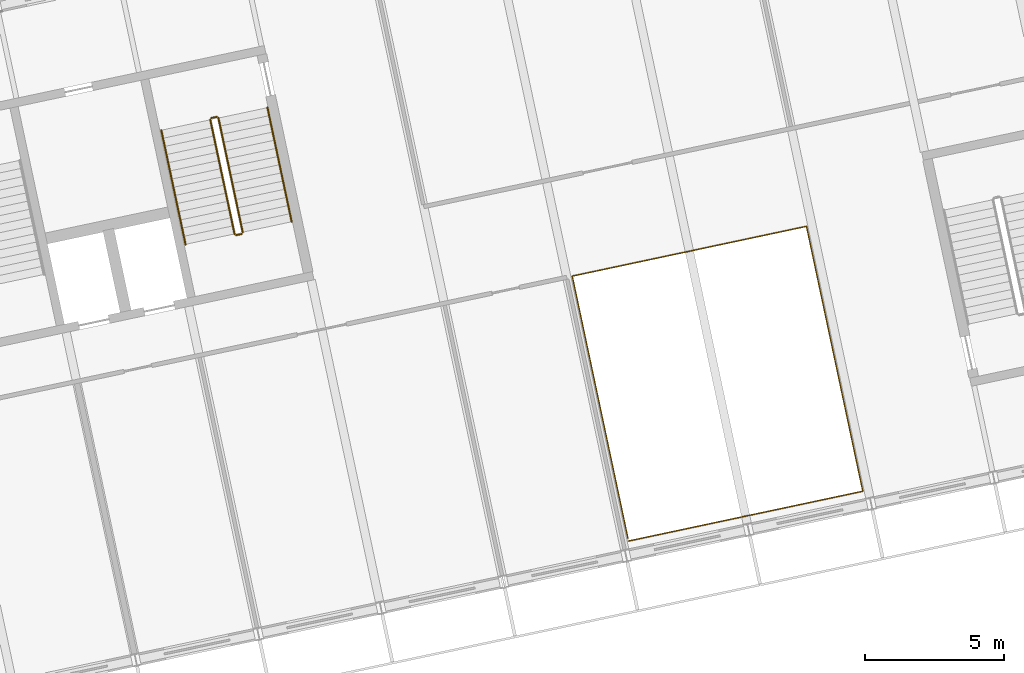
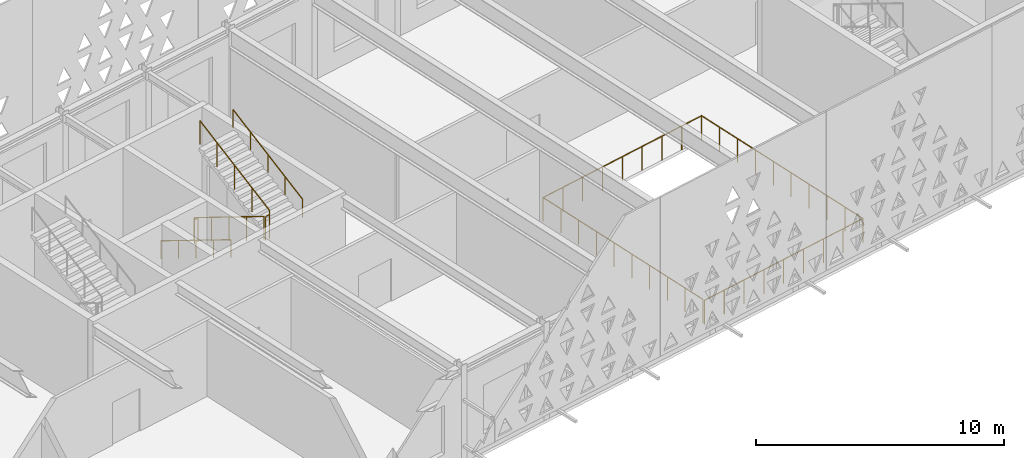
# One storey, part 188 of 196: 7 railings.
"""IFC4 building model written with IfcOpenShell, lengths in metres."""

import ifcopenshell
import ifcopenshell.guid

model = None  # the IFC model being written
_history = None  # IfcOwnerHistory: only IFC2X3 demands one
_inside = {}  # id of a spatial element -> (the spatial element, [elements in it])
_under = {}  # id of a project, library or spatial element -> (it, [spatial elements below it])
_declared = {}  # id of a project -> (the project, [libraries it declares])
_typed = {}  # id of a type object -> (the type object, [elements of that type])
_made_of = {}  # id of a material, layer set ... -> (it, [elements and type objects made of it])


def new_model(schema):
    """Start an empty IFC model of exactly this schema.

    Asked for "IFC4X3", IfcOpenShell would pick the latest addendum, in which some entities
    have other attributes; the version numbers below select the first issue.
    IFC2X3 requires an IfcOwnerHistory on every rooted entity: one is made here for all.
    """
    global model, _history
    if schema == "IFC4X3":
        model = ifcopenshell.file(schema_version=(4, 3, 0, 0))
    else:
        model = ifcopenshell.file(schema=schema)
    _inside.clear()
    _under.clear()
    _declared.clear()
    _typed.clear()
    _made_of.clear()
    _history = None
    if model.schema == "IFC2X3":
        org = make("IfcOrganization", Name="unknown")
        user = make(
            "IfcPersonAndOrganization",
            ThePerson=make("IfcPerson", FamilyName="unknown"),
            TheOrganization=org,
        )
        app = make(
            "IfcApplication",
            ApplicationDeveloper=org,
            Version="unknown",
            ApplicationFullName="unknown",
            ApplicationIdentifier="unknown",
        )
        _history = make(
            "IfcOwnerHistory",
            OwningUser=user,
            OwningApplication=app,
            ChangeAction="ADDED",
            CreationDate=0,
        )
    return model


def make(cls, **values):
    """One entity of the class cls with the attributes given. An attribute that is None is left unset."""
    return model.create_entity(
        cls, **{name: value for name, value in values.items() if value is not None}
    )


def rooted(cls, **values):
    """An entity with a GlobalId (a new one), such as an element, a storey or a relation."""
    return make(cls, GlobalId=ifcopenshell.guid.new(), OwnerHistory=_history, **values)


def si_unit(unit_type, name, prefix=None):
    """IfcSIUnit, for example si_unit("LENGTHUNIT", "METRE", prefix="MILLI")."""
    return make("IfcSIUnit", UnitType=unit_type, Prefix=prefix, Name=name)


def assignment(units):
    """IfcUnitAssignment: the units of a project."""
    return None if units is None else make("IfcUnitAssignment", Units=units)


def point(xyz):
    """IfcCartesianPoint."""
    return None if xyz is None else make("IfcCartesianPoint", Coordinates=xyz)


def direction(xyz):
    """IfcDirection."""
    return None if xyz is None else make("IfcDirection", DirectionRatios=xyz)


def frame(location, z_axis=None, x_axis=None):
    """IfcAxis2Placement3D, a coordinate frame: its origin and axes. An axis left out is left unset."""
    return make(
        "IfcAxis2Placement3D",
        Location=point(location),
        Axis=direction(z_axis),
        RefDirection=direction(x_axis),
    )


def frame_2d(location, x_axis=None):
    """IfcAxis2Placement2D, a coordinate frame in the plane: its origin and x axis."""
    return make(
        "IfcAxis2Placement2D", Location=point(location), RefDirection=direction(x_axis)
    )


def origin():
    """The frame at (0, 0, 0) with its axes left unset."""
    return frame((0.0, 0.0, 0.0))


def origin_2d():
    """The frame at (0, 0) in the plane with its x axis left unset."""
    return frame_2d((0.0, 0.0))


def place(relative_to, where):
    """IfcLocalPlacement: puts the frame where relative to a parent placement (None: the world)."""
    return make(
        "IfcLocalPlacement", PlacementRelTo=relative_to, RelativePlacement=where
    )


def context(
    kind, dimensions, precision=None, world=None, true_north=None, identifier=None
):
    """IfcGeometricRepresentationContext, for example the 3D "Model" context."""
    return make(
        "IfcGeometricRepresentationContext",
        ContextIdentifier=identifier,
        ContextType=kind,
        CoordinateSpaceDimension=dimensions,
        Precision=precision,
        WorldCoordinateSystem=world,
        TrueNorth=true_north,
    )


def subcontext(parent, identifier, kind, view, scale=None):
    """IfcGeometricRepresentationSubContext, for example "Body" below "Model"."""
    return make(
        "IfcGeometricRepresentationSubContext",
        ContextIdentifier=identifier,
        ContextType=kind,
        ParentContext=parent,
        TargetScale=scale,
        TargetView=view,
    )


def project(units=None, contexts=None):
    """IfcProject with its units and contexts."""
    return rooted(
        "IfcProject",
        Name="project",
        RepresentationContexts=contexts,
        UnitsInContext=assignment(units),
    )


def spatial(cls, under=None, at=None, **own):
    """A site, building, storey or space (cls), placed at a placement, below another one or the project."""
    s = rooted(cls, ObjectPlacement=at, **own)
    if under is not None:
        _under.setdefault(under.id(), (under, []))[1].append(s)
    return s


def profile(cls, at=None, kind="AREA", **sizes):
    """A parametric profile (cls). Its sizes go by their IFC names, for example OverallWidth=200.0."""
    return make(cls, ProfileType=kind, Position=at, **sizes)


def circle(**sizes):
    """IfcCircleProfileDef."""
    return profile("IfcCircleProfileDef", **sizes)


def extrude(swept, where, along, depth):
    """IfcExtrudedAreaSolid: the profile swept, set in the frame where, extruded along a direction by depth."""
    return make(
        "IfcExtrudedAreaSolid",
        SweptArea=swept,
        Position=where,
        ExtrudedDirection=direction(along),
        Depth=depth,
    )


def shape(context_of_items, identifier, shape_type, items):
    """IfcShapeRepresentation: the items that make up one representation, for example the "Body"."""
    return make(
        "IfcShapeRepresentation",
        ContextOfItems=context_of_items,
        RepresentationIdentifier=identifier,
        RepresentationType=shape_type,
        Items=items,
    )


def material(Name=None, Category=None):
    """IfcMaterial."""
    return make("IfcMaterial", Name=Name, Category=Category)


def made_of(thing, what):
    """Note that an element or type object is made of a material, layer set ...; save() writes the relation."""
    if what is not None:
        _made_of.setdefault(what.id(), (what, []))[1].append(thing)
    return thing


def type_object(cls, material=None, **own):
    """A type object (cls), such as IfcWallType, which elements share."""
    return made_of(rooted(cls, **own), material)


def element(
    cls,
    number,
    at=None,
    inside=None,
    cuts=None,
    type_object=None,
    material=None,
    context=None,
    identifier="Body",
    shape_type=None,
    held_by="IfcProductDefinitionShape",
    body=None,
    shapes=None,
    **own,
):
    """One element of the class cls, such as IfcWall. Its Tag is "e" and its number.

    at: its placement. inside: the storey or other place that contains it. cuts: it is an
    opening in that element (IfcRelVoidsElement). A single representation is given by context,
    identifier, shape_type and body (its items); several are given by shapes. held_by: the class
    of the entity that holds the representations. save() writes the other relations.
    """
    e = rooted(cls, Tag="e%d" % number, ObjectPlacement=at, **own)
    if body is not None:
        shapes = [shape(context, identifier, shape_type, body)]
    if shapes is not None:
        e.Representation = make(held_by, Representations=shapes)
    if inside is not None:
        _inside.setdefault(inside.id(), (inside, []))[1].append(e)
    if cuts is not None:
        rooted(
            "IfcRelVoidsElement", RelatingBuildingElement=cuts, RelatedOpeningElement=e
        )
    if type_object is not None:
        _typed.setdefault(type_object.id(), (type_object, []))[1].append(e)
    return made_of(e, material)


def aggregate(whole, parts):
    """IfcRelAggregates: a whole, such as a stair, and the parts it consists of."""
    return rooted("IfcRelAggregates", RelatingObject=whole, RelatedObjects=parts)


def save(model, path):
    """Write the relations noted so far, then the file.

    IfcRelAggregates (storeys below a building ...), IfcRelContainedInSpatialStructure (elements
    in a storey), IfcRelDefinesByType, IfcRelAssociatesMaterial and IfcRelDeclares: one each for
    every whole, place, type object, material and project.
    """
    for whole, parts in _under.values():
        aggregate(whole, parts)
    for where, things in _inside.values():
        rooted(
            "IfcRelContainedInSpatialStructure",
            RelatedElements=things,
            RelatingStructure=where,
        )
    for kind, things in _typed.values():
        rooted("IfcRelDefinesByType", RelatedObjects=things, RelatingType=kind)
    for what, things in _made_of.values():
        rooted("IfcRelAssociatesMaterial", RelatedObjects=things, RelatingMaterial=what)
    for by, libraries in _declared.values():
        rooted("IfcRelDeclares", RelatingContext=by, RelatedDefinitions=libraries)
    model.write(path)


model = new_model("IFC4")

# Units and contexts
model_context = context("Model", 3, precision=1e-05, world=origin(), true_north=direction((0.0, 1.0)))
body_context = subcontext(model_context, "Body", "Model", "MODEL_VIEW")
ifc_project = project(units=[si_unit("LENGTHUNIT", "METRE"), si_unit("AREAUNIT", "SQUARE_METRE"), si_unit("VOLUMEUNIT", "CUBIC_METRE"), si_unit("PLANEANGLEUNIT", "RADIAN"), si_unit("MASSUNIT", "GRAM", prefix="KILO")], contexts=[model_context])

# Site, building, storey
site_placement = place(None, origin())
site = spatial("IfcSite", under=ifc_project, at=site_placement, CompositionType="ELEMENT")
building_placement = place(site_placement, origin())
building = spatial("IfcBuilding", under=site, at=building_placement, Name="Okhra Congress Centre", CompositionType="ELEMENT")
storey_placement = place(building_placement, frame((0.0, 0.0, 12.0)))
storey = spatial("IfcBuildingStorey", under=building, at=storey_placement, Name="L02", CompositionType="ELEMENT", Elevation=12.0)

# Railings
ifc_material_1 = material(Name="Painted steel tube guard with vertical steel balusters", Category="steel")
railing_type_1 = type_object("IfcRailingType", Name="Steel guard 1200", PredefinedType="GUARDRAIL", material=ifc_material_1)
railing_1_placement = place(storey_placement, frame((122.72607421875, 40.438232421875, 0.0)))
element("IfcRailing", 1, at=railing_1_placement, inside=storey, type_object=railing_type_1, Name="Guard round the slab opening L02", PredefinedType="GUARDRAIL", context=body_context, shape_type="SweptSolid", body=[
    extrude(circle(Radius=0.02392578125, at=origin_2d()), frame((0.0, 0.0, 1.17578125), z_axis=(0.978145501071, 0.207921568708, 0.0), x_axis=(-0.207921568708, 0.978145501071, 0.0)), (0.0, 0.0, 1.0), 8.599853515625),
    extrude(circle(Radius=0.02392578125, at=origin_2d()), frame((8.411865234375, 1.7880859375, 1.17578125), z_axis=(-0.20789148293, 0.978151895835, 0.0), x_axis=(-0.978151895835, -0.20789148293, 0.0)), (0.0, 0.0, 1.0), 9.724853515625),
    extrude(circle(Radius=0.02392578125, at=origin_2d()), frame((6.39013671875, 11.300537109375, 1.17578125), z_axis=(-0.978152501362, -0.207888633837, 0.0), x_axis=(0.207888633837, -0.978152501362, 0.0)), (0.0, 0.0, 1.0), 8.60009765625),
    extrude(circle(Radius=0.02392578125, at=origin_2d()), frame((-2.02197265625, 9.5126953125, 1.17578125), z_axis=(0.207891822393, -0.978151823687, 0.0), x_axis=(0.978151823687, 0.207891822393, 0.0)), (0.0, 0.0, 1.0), 9.625),
    extrude(circle(Radius=0.02099609375, at=origin_2d()), origin(), (0.0, 0.0, 1.0), 1.15185546875),
    extrude(circle(Radius=0.02099609375, at=origin_2d()), frame((1.051513671875, 0.2236328125, 0.0)), (0.0, 0.0, 1.0), 1.15185546875),
    extrude(circle(Radius=0.02099609375, at=origin_2d()), frame((2.10302734375, 0.447021484375, 0.0)), (0.0, 0.0, 1.0), 1.15185546875),
    extrude(circle(Radius=0.02099609375, at=origin_2d()), frame((3.154541015625, 0.67041015625, 0.0)), (0.0, 0.0, 1.0), 1.15185546875),
    extrude(circle(Radius=0.02099609375, at=origin_2d()), frame((4.2060546875, 0.89404296875, 0.0)), (0.0, 0.0, 1.0), 1.15185546875),
    extrude(circle(Radius=0.02099609375, at=origin_2d()), frame((5.25732421875, 1.11767578125, 0.0)), (0.0, 0.0, 1.0), 1.15185546875),
    extrude(circle(Radius=0.02099609375, at=origin_2d()), frame((6.308837890625, 1.341064453125, 0.0)), (0.0, 0.0, 1.0), 1.15185546875),
    extrude(circle(Radius=0.02099609375, at=origin_2d()), frame((7.3603515625, 1.564453125, 0.0)), (0.0, 0.0, 1.0), 1.15185546875),
    extrude(circle(Radius=0.02099609375, at=origin_2d()), frame((8.411865234375, 1.7880859375, 0.0)), (0.0, 0.0, 1.0), 1.15185546875),
    extrude(circle(Radius=0.02099609375, at=origin_2d()), frame((8.187255859375, 2.844970703125, 0.0)), (0.0, 0.0, 1.0), 1.15185546875),
    extrude(circle(Radius=0.02099609375, at=origin_2d()), frame((7.962646484375, 3.90185546875, 0.0)), (0.0, 0.0, 1.0), 1.15185546875),
    extrude(circle(Radius=0.02099609375, at=origin_2d()), frame((7.738037109375, 4.958984375, 0.0)), (0.0, 0.0, 1.0), 1.15185546875),
    extrude(circle(Radius=0.02099609375, at=origin_2d()), frame((7.513427734375, 6.015869140625, 0.0)), (0.0, 0.0, 1.0), 1.15185546875),
    extrude(circle(Radius=0.02099609375, at=origin_2d()), frame((7.28857421875, 7.07275390625, 0.0)), (0.0, 0.0, 1.0), 1.15185546875),
    extrude(circle(Radius=0.02099609375, at=origin_2d()), frame((7.06396484375, 8.129638671875, 0.0)), (0.0, 0.0, 1.0), 1.15185546875),
    extrude(circle(Radius=0.02099609375, at=origin_2d()), frame((6.83935546875, 9.186767578125, 0.0)), (0.0, 0.0, 1.0), 1.15185546875),
    extrude(circle(Radius=0.02099609375, at=origin_2d()), frame((6.61474609375, 10.24365234375, 0.0)), (0.0, 0.0, 1.0), 1.15185546875),
    extrude(circle(Radius=0.02099609375, at=origin_2d()), frame((6.39013671875, 11.300537109375, 0.0)), (0.0, 0.0, 1.0), 1.15185546875),
    extrude(circle(Radius=0.02099609375, at=origin_2d()), frame((5.338623046875, 11.0771484375, 0.0)), (0.0, 0.0, 1.0), 1.15185546875),
    extrude(circle(Radius=0.02099609375, at=origin_2d()), frame((4.287109375, 10.853515625, 0.0)), (0.0, 0.0, 1.0), 1.15185546875),
    extrude(circle(Radius=0.02099609375, at=origin_2d()), frame((3.235595703125, 10.630126953125, 0.0)), (0.0, 0.0, 1.0), 1.15185546875),
    extrude(circle(Radius=0.02099609375, at=origin_2d()), frame((2.18408203125, 10.40673828125, 0.0)), (0.0, 0.0, 1.0), 1.15185546875),
    extrude(circle(Radius=0.02099609375, at=origin_2d()), frame((1.132568359375, 10.18310546875, 0.0)), (0.0, 0.0, 1.0), 1.15185546875),
    extrude(circle(Radius=0.02099609375, at=origin_2d()), frame((0.0810546875, 9.959716796875, 0.0)), (0.0, 0.0, 1.0), 1.15185546875),
    extrude(circle(Radius=0.02099609375, at=origin_2d()), frame((-0.970458984375, 9.736083984375, 0.0)), (0.0, 0.0, 1.0), 1.15185546875),
    extrude(circle(Radius=0.02099609375, at=origin_2d()), frame((-2.02197265625, 9.5126953125, 0.0)), (0.0, 0.0, 1.0), 1.15185546875),
    extrude(circle(Radius=0.02099609375, at=origin_2d()), frame((-1.799560546875, 8.466552734375, 0.0)), (0.0, 0.0, 1.0), 1.15185546875),
    extrude(circle(Radius=0.02099609375, at=origin_2d()), frame((-1.577392578125, 7.42041015625, 0.0)), (0.0, 0.0, 1.0), 1.15185546875),
    extrude(circle(Radius=0.02099609375, at=origin_2d()), frame((-1.35498046875, 6.37451171875, 0.0)), (0.0, 0.0, 1.0), 1.15185546875),
    extrude(circle(Radius=0.02099609375, at=origin_2d()), frame((-1.132568359375, 5.328369140625, 0.0)), (0.0, 0.0, 1.0), 1.15185546875),
    extrude(circle(Radius=0.02099609375, at=origin_2d()), frame((-0.910400390625, 4.2822265625, 0.0)), (0.0, 0.0, 1.0), 1.15185546875),
    extrude(circle(Radius=0.02099609375, at=origin_2d()), frame((-0.68798828125, 3.236083984375, 0.0)), (0.0, 0.0, 1.0), 1.15185546875),
    extrude(circle(Radius=0.02099609375, at=origin_2d()), frame((-0.465576171875, 2.190185546875, 0.0)), (0.0, 0.0, 1.0), 1.15185546875),
    extrude(circle(Radius=0.02099609375, at=origin_2d()), frame((-0.243408203125, 1.14404296875, 0.0)), (0.0, 0.0, 1.0), 1.15185546875),
    extrude(circle(Radius=0.02099609375, at=origin_2d()), frame((-0.02099609375, 0.097900390625, 0.0)), (0.0, 0.0, 1.0), 1.15185546875),
])
ifc_material_2 = material(Name="Painted steel tube handrail on wall brackets", Category="steel")
railing_type_2 = type_object("IfcRailingType", Name="Steel handrail 900", PredefinedType="HANDRAIL", material=ifc_material_2)
railing_2_placement = place(storey_placement, frame((105.94091796875, 55.196044921875, 0.159912109375)))
element("IfcRailing", 2, at=railing_2_placement, inside=storey, type_object=railing_type_2, Name="L02 BS2B stair handrail 1", PredefinedType="HANDRAIL", context=body_context, shape_type="SweptSolid", body=[
    extrude(circle(Radius=0.02392578125, at=origin_2d()), frame((0.0, 0.0, 0.8759765625), z_axis=(0.183466421502, -0.863066668889, 0.4705911147), x_axis=(0.978143927149, 0.207928972925, 0.0)), (0.0, 0.0, 1.0), 4.760009765625),
    extrude(circle(Radius=0.02099609375, at=origin_2d()), origin(), (0.0, 0.0, 1.0), 0.851806640625),
    extrude(circle(Radius=0.02099609375, at=origin_2d()), frame((0.21826171875, -1.027099609375, 0.56005859375)), (0.0, 0.0, 1.0), 0.851806640625),
    extrude(circle(Radius=0.02099609375, at=origin_2d()), frame((0.4365234375, -2.05419921875, 1.1201171875)), (0.0, 0.0, 1.0), 0.851806640625),
    extrude(circle(Radius=0.02099609375, at=origin_2d()), frame((0.655029296875, -3.0810546875, 1.679931640625)), (0.0, 0.0, 1.0), 0.851806640625),
    extrude(circle(Radius=0.02099609375, at=origin_2d()), frame((0.873291015625, -4.108154296875, 2.239990234375)), (0.0, 0.0, 1.0), 0.851806640625),
])
railing_3_placement = place(storey_placement, frame((110.62890625, 51.898681640625, 2.56005859375)))
element("IfcRailing", 3, at=railing_3_placement, inside=storey, type_object=railing_type_2, Name="L02 BS2B stair handrail 2", PredefinedType="HANDRAIL", context=body_context, shape_type="SweptSolid", body=[
    extrude(circle(Radius=0.02392578125, at=origin_2d()), frame((0.0, 0.0, 0.8759765625), z_axis=(-0.183466421502, 0.863066668889, 0.4705911147), x_axis=(-0.978143927149, -0.207928972925, 0.0)), (0.0, 0.0, 1.0), 4.760009765625),
    extrude(circle(Radius=0.02099609375, at=origin_2d()), origin(), (0.0, 0.0, 1.0), 0.851806640625),
    extrude(circle(Radius=0.02099609375, at=origin_2d()), frame((-0.21826171875, 1.027099609375, 0.56005859375)), (0.0, 0.0, 1.0), 0.851806640625),
    extrude(circle(Radius=0.02099609375, at=origin_2d()), frame((-0.4365234375, 2.05419921875, 1.1201171875)), (0.0, 0.0, 1.0), 0.851806640625),
    extrude(circle(Radius=0.02099609375, at=origin_2d()), frame((-0.655029296875, 3.0810546875, 1.679931640625)), (0.0, 0.0, 1.0), 0.851806640625),
    extrude(circle(Radius=0.02099609375, at=origin_2d()), frame((-0.873291015625, 4.108154296875, 2.239990234375)), (0.0, 0.0, 1.0), 0.851806640625),
])
railing_type_3 = type_object("IfcRailingType", Name="Steel stair guard 1200", PredefinedType="GUARDRAIL", material=ifc_material_1)
railing_4_placement = place(storey_placement, frame((107.70166015625, 55.5703125, 0.159912109375)))
element("IfcRailing", 4, at=railing_4_placement, inside=storey, type_object=railing_type_3, Name="L02 BS2B stair guard 1", PredefinedType="GUARDRAIL", context=body_context, shape_type="SweptSolid", body=[
    extrude(circle(Radius=0.02392578125, at=origin_2d()), frame((0.0, 0.0, 1.17578125), z_axis=(0.183408737451, -0.863087872992, 0.470574710881), x_axis=(0.97815826, 0.207861536591, 0.0)), (0.0, 0.0, 1.0), 4.760009765625),
    extrude(circle(Radius=0.02099609375, at=origin_2d()), origin(), (0.0, 0.0, 1.0), 1.15185546875),
    extrude(circle(Radius=0.02099609375, at=origin_2d()), frame((0.21826171875, -1.027099609375, 0.56005859375)), (0.0, 0.0, 1.0), 1.15185546875),
    extrude(circle(Radius=0.02099609375, at=origin_2d()), frame((0.4365234375, -2.05419921875, 1.1201171875)), (0.0, 0.0, 1.0), 1.15185546875),
    extrude(circle(Radius=0.02099609375, at=origin_2d()), frame((0.65478515625, -3.081298828125, 1.679931640625)), (0.0, 0.0, 1.0), 1.15185546875),
    extrude(circle(Radius=0.02099609375, at=origin_2d()), frame((0.873046875, -4.1083984375, 2.239990234375)), (0.0, 0.0, 1.0), 1.15185546875),
])
railing_5_placement = place(storey_placement, frame((108.634033203125, 51.423583984375, 2.39990234375)))
element("IfcRailing", 5, at=railing_5_placement, inside=storey, type_object=railing_type_3, Name="L02 BS2B stair guard 2", PredefinedType="GUARDRAIL", context=body_context, shape_type="SweptSolid", body=[
    extrude(circle(Radius=0.02392578125, at=origin_2d()), frame((0.0, 0.0, 1.17578125), z_axis=(0.978211583308, 0.207610448392, 0.0), x_axis=(-0.207610448392, 0.978211583308, 0.0)), (0.0, 0.0, 1.0), 0.199951171875),
    extrude(circle(Radius=0.02099609375, at=origin_2d()), origin(), (0.0, 0.0, 1.0), 1.15185546875),
    extrude(circle(Radius=0.02099609375, at=origin_2d()), frame((0.195556640625, 0.04150390625, 0.0)), (0.0, 0.0, 1.0), 1.15185546875),
])
railing_6_placement = place(storey_placement, frame((108.8681640625, 51.5244140625, 2.56005859375)))
element("IfcRailing", 6, at=railing_6_placement, inside=storey, type_object=railing_type_3, Name="L02 BS2B stair guard 3", PredefinedType="GUARDRAIL", context=body_context, shape_type="SweptSolid", body=[
    extrude(circle(Radius=0.02392578125, at=origin_2d()), frame((0.0, 0.0, 1.17578125), z_axis=(-0.183466421502, 0.863066668889, 0.4705911147), x_axis=(-0.978143927149, -0.207928972925, 0.0)), (0.0, 0.0, 1.0), 4.760009765625),
    extrude(circle(Radius=0.02099609375, at=origin_2d()), origin(), (0.0, 0.0, 1.0), 1.15185546875),
    extrude(circle(Radius=0.02099609375, at=origin_2d()), frame((-0.21826171875, 1.027099609375, 0.56005859375)), (0.0, 0.0, 1.0), 1.15185546875),
    extrude(circle(Radius=0.02099609375, at=origin_2d()), frame((-0.4365234375, 2.05419921875, 1.1201171875)), (0.0, 0.0, 1.0), 1.15185546875),
    extrude(circle(Radius=0.02099609375, at=origin_2d()), frame((-0.655029296875, 3.0810546875, 1.679931640625)), (0.0, 0.0, 1.0), 1.15185546875),
    extrude(circle(Radius=0.02099609375, at=origin_2d()), frame((-0.873291015625, 4.108154296875, 2.239990234375)), (0.0, 0.0, 1.0), 1.15185546875),
])
railing_7_placement = place(storey_placement, frame((107.739990234375, 55.629638671875, 0.0)))
element("IfcRailing", 7, at=railing_7_placement, inside=storey, type_object=railing_type_3, Name="L02 BS2B stair guard 4", PredefinedType="GUARDRAIL", context=body_context, shape_type="SweptSolid", body=[
    extrude(circle(Radius=0.02392578125, at=origin_2d()), frame((0.0, 0.0, 1.17578125), z_axis=(0.97826412705, 0.207362720198, 0.0), x_axis=(-0.207362720198, 0.97826412705, 0.0)), (0.0, 0.0, 1.0), 0.2001953125),
    extrude(circle(Radius=0.02099609375, at=origin_2d()), origin(), (0.0, 0.0, 1.0), 1.15185546875),
    extrude(circle(Radius=0.02099609375, at=origin_2d()), frame((0.19580078125, 0.04150390625, 0.0)), (0.0, 0.0, 1.0), 1.15185546875),
])

save(model, "model.ifc")
